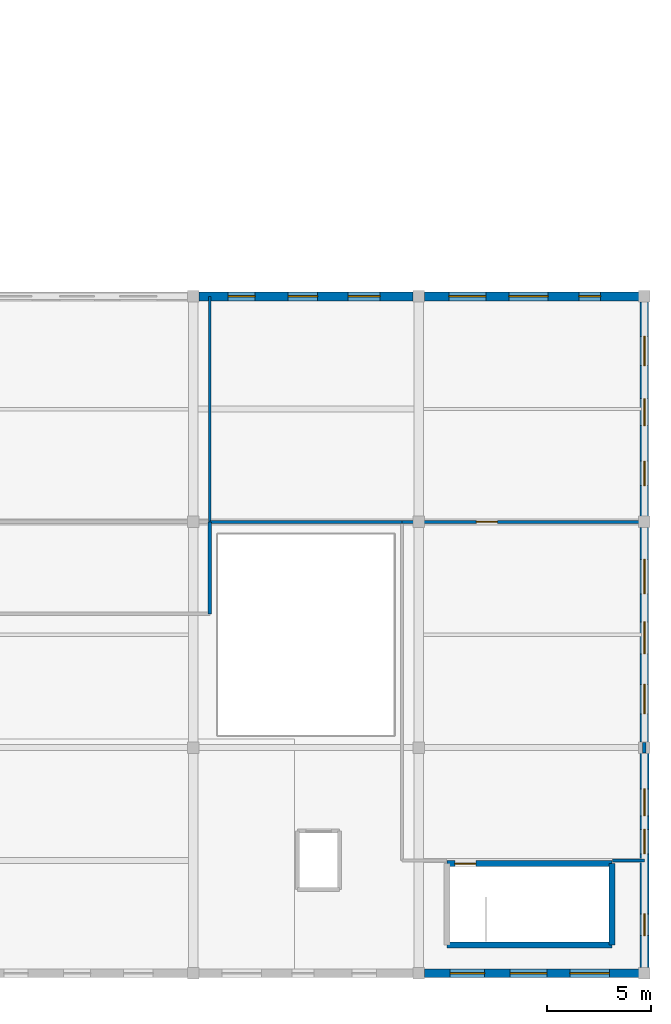
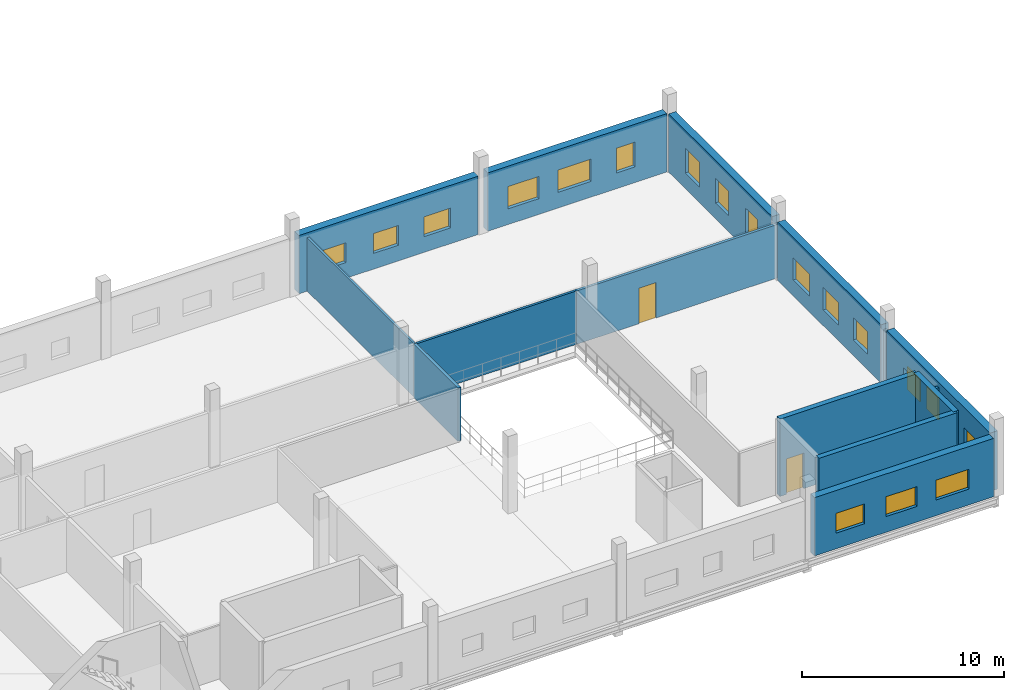
# One storey, part 18 of 24: 18 windows, 15 walls, 2 doors, 20 openings.
"""IFC4 building model written with IfcOpenShell, lengths in metres."""

from ifc_helpers import new_model, si_unit, direction, frame, frame_2d, origin, place, context, subcontext, project, spatial, rectangle, extrude, material, layer, layer_set, type_object, element, fill, save


model = new_model("IFC4")

# Units and contexts
model_context = context("Model", 3, precision=1e-05, world=origin(), true_north=direction((0.0, 1.0)))
body_context = subcontext(model_context, "Body", "Model", "MODEL_VIEW")
ifc_project = project(units=[si_unit("LENGTHUNIT", "METRE"), si_unit("AREAUNIT", "SQUARE_METRE"), si_unit("VOLUMEUNIT", "CUBIC_METRE"), si_unit("PLANEANGLEUNIT", "RADIAN"), si_unit("MASSUNIT", "GRAM", prefix="KILO")], contexts=[model_context])

# Site, building, storey
site_placement = place(None, origin())
site = spatial("IfcSite", under=ifc_project, at=site_placement, CompositionType="ELEMENT")
building_placement = place(site_placement, origin())
building = spatial("IfcBuilding", under=site, at=building_placement, Name="Zwinboog Wholesale Market", CompositionType="ELEMENT")
storey_placement = place(building_placement, frame((0.0, 0.0, 10.080078125)))
storey = spatial("IfcBuildingStorey", under=building, at=storey_placement, Name="L02", CompositionType="ELEMENT", Elevation=10.080078125)

# Wall, openings, windows
ifc_material_1 = material(Name="Precast concrete C45/55", Category="concrete")
ifc_layer_1 = layer(ifc_material_1, 0.409912109375)
ifc_layer_set_1 = layer_set([ifc_layer_1], Name="Precast concrete C45/55")
wall_type_1 = type_object("IfcWallType", Name="WT-EW-410", PredefinedType="STANDARD", material=ifc_layer_set_1)
wall_1_placement = place(storey_placement, frame((205.469970703125, 0.0, 0.0), z_axis=(0.0, 0.0, 1.0), x_axis=(1.0, 0.0, 0.0)))
wall_1 = element("IfcWall", 1, at=wall_1_placement, inside=storey, type_object=wall_type_1, Name="EW-03 (WL-EW-L02-210)", PredefinedType="STANDARD", context=body_context, shape_type="SweptSolid", body=[
    extrude(rectangle(XDim=10.260009765625, YDim=0.409912109375, at=frame_2d((5.1298828125, 0.0))), origin(), (0.0, 0.0, 1.0), 3.530029296875),
])
opening_1_placement = place(wall_1_placement, frame((1.22509765625, 0.0, 0.949951171875)))
opening_1 = element("IfcOpeningElement", 2, at=opening_1_placement, cuts=wall_1, Name="Opening WN-22", PredefinedType="OPENING", context=body_context, shape_type="SweptSolid", body=[
    extrude(rectangle(XDim=1.64990234375, YDim=1.199951171875, at=frame_2d((0.824951171875, 0.60009765625))), frame((0.0, 0.21484375, 0.0), z_axis=(0.0, -1.0, 0.0), x_axis=(1.0, 0.0, 0.0)), (0.0, 0.0, 1.0), 0.429931640625),
])
opening_2_placement = place(wall_1_placement, frame((4.094970703125, 0.0, 0.949951171875)))
opening_2 = element("IfcOpeningElement", 3, at=opening_2_placement, cuts=wall_1, Name="Opening WN-23", PredefinedType="OPENING", context=body_context, shape_type="SweptSolid", body=[
    extrude(rectangle(XDim=1.77001953125, YDim=1.199951171875, at=frame_2d((0.885009765625, 0.60009765625))), frame((0.0, 0.21484375, 0.0), z_axis=(0.0, -1.0, 0.0), x_axis=(1.0, 0.0, 0.0)), (0.0, 0.0, 1.0), 0.429931640625),
])
opening_3_placement = place(wall_1_placement, frame((6.965087890625, 0.0, 0.949951171875)))
opening_3 = element("IfcOpeningElement", 4, at=opening_3_placement, cuts=wall_1, Name="Opening WN-24", PredefinedType="OPENING", context=body_context, shape_type="SweptSolid", body=[
    extrude(rectangle(XDim=1.889892578125, YDim=1.199951171875, at=frame_2d((0.94482421875, 0.60009765625))), frame((0.0, 0.21484375, 0.0), z_axis=(0.0, -1.0, 0.0), x_axis=(1.0, 0.0, 0.0)), (0.0, 0.0, 1.0), 0.429931640625),
])
ifc_material_2 = material(Name="Thermally broken aluminium low-e window", Category="aluminium")
window_type_1 = type_object("IfcWindowType", Name="WNT-22", PartitioningType="SINGLE_PANEL", PredefinedType="WINDOW", material=ifc_material_2)
window_1_placement = place(opening_1_placement, frame((1.64990234375, 0.0, 0.0), z_axis=(0.0, 0.0, 1.0), x_axis=(-1.0, 0.0, 0.0)))
window_1 = element("IfcWindow", 5, at=window_1_placement, inside=storey, type_object=window_type_1, Name="WN-22 (WIN-L02-0238)", OverallHeight=1.199951171875, OverallWidth=1.64990234375, PartitioningType="SINGLE_PANEL", PredefinedType="WINDOW", context=body_context, shape_type="SweptSolid", body=[
    extrude(rectangle(XDim=1.64990234375, YDim=1.199951171875, at=frame_2d((0.824951171875, 0.60009765625))), frame((0.0, 0.030029296875, 0.0), z_axis=(0.0, -1.0, 0.0), x_axis=(1.0, 0.0, 0.0)), (0.0, 0.0, 1.0), 0.06005859375),
])
fill(opening_1, window_1)
window_type_2 = type_object("IfcWindowType", Name="WNT-23", PartitioningType="SINGLE_PANEL", PredefinedType="WINDOW", material=ifc_material_2)
window_2_placement = place(opening_2_placement, frame((1.77001953125, 0.0, 0.0), z_axis=(0.0, 0.0, 1.0), x_axis=(-1.0, 0.0, 0.0)))
window_2 = element("IfcWindow", 6, at=window_2_placement, inside=storey, type_object=window_type_2, Name="WN-23 (WIN-L02-0239)", OverallHeight=1.199951171875, OverallWidth=1.77001953125, PartitioningType="SINGLE_PANEL", PredefinedType="WINDOW", context=body_context, shape_type="SweptSolid", body=[
    extrude(rectangle(XDim=1.77001953125, YDim=1.199951171875, at=frame_2d((0.885009765625, 0.60009765625))), frame((0.0, 0.030029296875, 0.0), z_axis=(0.0, -1.0, 0.0), x_axis=(1.0, 0.0, 0.0)), (0.0, 0.0, 1.0), 0.06005859375),
])
fill(opening_2, window_2)
window_type_3 = type_object("IfcWindowType", Name="WNT-24", PartitioningType="SINGLE_PANEL", PredefinedType="WINDOW", material=ifc_material_2)
window_3_placement = place(opening_3_placement, frame((1.889892578125, 0.0, 0.0), z_axis=(0.0, 0.0, 1.0), x_axis=(-1.0, 0.0, 0.0)))
window_3 = element("IfcWindow", 7, at=window_3_placement, inside=storey, type_object=window_type_3, Name="WN-24 (WIN-L02-0240)", OverallHeight=1.199951171875, OverallWidth=1.889892578125, PartitioningType="SINGLE_PANEL", PredefinedType="WINDOW", context=body_context, shape_type="SweptSolid", body=[
    extrude(rectangle(XDim=1.889892578125, YDim=1.199951171875, at=frame_2d((0.94482421875, 0.60009765625))), frame((0.0, 0.030029296875, 0.0), z_axis=(0.0, -1.0, 0.0), x_axis=(1.0, 0.0, 0.0)), (0.0, 0.0, 1.0), 0.06005859375),
])
fill(opening_3, window_3)

wall_2_placement = place(storey_placement, frame((216.0, 11.070068359375, 0.0), z_axis=(0.0, 0.0, 1.0), x_axis=(0.0, 1.0, 0.0)))
wall_2 = element("IfcWall", 8, at=wall_2_placement, inside=storey, type_object=wall_type_1, Name="EW-03 (WL-EW-L02-212)", PredefinedType="STANDARD", context=body_context, shape_type="SweptSolid", body=[
    extrude(rectangle(XDim=10.260009765625, YDim=0.409912109375, at=frame_2d((5.1298828125, 0.0))), origin(), (0.0, 0.0, 1.0), 3.530029296875),
])
opening_4_placement = place(wall_2_placement, frame((1.344970703125, 0.0, 0.949951171875)))
opening_4 = element("IfcOpeningElement", 9, at=opening_4_placement, cuts=wall_2, Name="Opening WN-28", PredefinedType="OPENING", context=body_context, shape_type="SweptSolid", body=[
    extrude(rectangle(XDim=1.409912109375, YDim=1.35009765625, at=frame_2d((0.705078125, 0.675048828125))), frame((0.0, 0.21484375, 0.0), z_axis=(0.0, -1.0, 0.0), x_axis=(1.0, 0.0, 0.0)), (0.0, 0.0, 1.0), 0.429931640625),
])
opening_5_placement = place(wall_2_placement, frame((4.215087890625, 0.0, 0.949951171875)))
opening_5 = element("IfcOpeningElement", 10, at=opening_5_placement, cuts=wall_2, Name="Opening WN-29", PredefinedType="OPENING", context=body_context, shape_type="SweptSolid", body=[
    extrude(rectangle(XDim=1.530029296875, YDim=1.35009765625, at=frame_2d((0.76513671875, 0.675048828125))), frame((0.0, 0.21484375, 0.0), z_axis=(0.0, -1.0, 0.0), x_axis=(1.0, 0.0, 0.0)), (0.0, 0.0, 1.0), 0.429931640625),
])
opening_6_placement = place(wall_2_placement, frame((7.0849609375, 0.0, 0.949951171875)))
opening_6 = element("IfcOpeningElement", 11, at=opening_6_placement, cuts=wall_2, Name="Opening WN-30", PredefinedType="OPENING", context=body_context, shape_type="SweptSolid", body=[
    extrude(rectangle(XDim=1.64990234375, YDim=1.35009765625, at=frame_2d((0.824951171875, 0.675048828125))), frame((0.0, 0.21484375, 0.0), z_axis=(0.0, -1.0, 0.0), x_axis=(1.0, 0.0, 0.0)), (0.0, 0.0, 1.0), 0.429931640625),
])
window_type_4 = type_object("IfcWindowType", Name="WNT-28", PartitioningType="SINGLE_PANEL", PredefinedType="WINDOW", material=ifc_material_2)
window_4_placement = place(opening_4_placement, frame((1.409912109375, 0.0, 0.0), z_axis=(0.0, 0.0, 1.0), x_axis=(-1.0, 0.0, 0.0)))
window_4 = element("IfcWindow", 12, at=window_4_placement, inside=storey, type_object=window_type_4, Name="WN-28 (WIN-L02-0244)", OverallHeight=1.35009765625, OverallWidth=1.409912109375, PartitioningType="SINGLE_PANEL", PredefinedType="WINDOW", context=body_context, shape_type="SweptSolid", body=[
    extrude(rectangle(XDim=1.409912109375, YDim=1.35009765625, at=frame_2d((0.705078125, 0.675048828125))), frame((0.0, 0.030029296875, 0.0), z_axis=(0.0, -1.0, 0.0), x_axis=(1.0, 0.0, 0.0)), (0.0, 0.0, 1.0), 0.06005859375),
])
fill(opening_4, window_4)
window_type_5 = type_object("IfcWindowType", Name="WNT-29", PartitioningType="SINGLE_PANEL", PredefinedType="WINDOW", material=ifc_material_2)
window_5_placement = place(opening_5_placement, frame((1.530029296875, 0.0, 0.0), z_axis=(0.0, 0.0, 1.0), x_axis=(-1.0, 0.0, 0.0)))
window_5 = element("IfcWindow", 13, at=window_5_placement, inside=storey, type_object=window_type_5, Name="WN-29 (WIN-L02-0245)", OverallHeight=1.35009765625, OverallWidth=1.530029296875, PartitioningType="SINGLE_PANEL", PredefinedType="WINDOW", context=body_context, shape_type="SweptSolid", body=[
    extrude(rectangle(XDim=1.530029296875, YDim=1.35009765625, at=frame_2d((0.76513671875, 0.675048828125))), frame((0.0, 0.030029296875, 0.0), z_axis=(0.0, -1.0, 0.0), x_axis=(1.0, 0.0, 0.0)), (0.0, 0.0, 1.0), 0.06005859375),
])
fill(opening_5, window_5)
window_type_6 = type_object("IfcWindowType", Name="WNT-30", PartitioningType="SINGLE_PANEL", PredefinedType="WINDOW", material=ifc_material_2)
window_6_placement = place(opening_6_placement, frame((1.64990234375, 0.0, 0.0), z_axis=(0.0, 0.0, 1.0), x_axis=(-1.0, 0.0, 0.0)))
window_6 = element("IfcWindow", 14, at=window_6_placement, inside=storey, type_object=window_type_6, Name="WN-30 (WIN-L02-0246)", OverallHeight=1.35009765625, OverallWidth=1.64990234375, PartitioningType="SINGLE_PANEL", PredefinedType="WINDOW", context=body_context, shape_type="SweptSolid", body=[
    extrude(rectangle(XDim=1.64990234375, YDim=1.35009765625, at=frame_2d((0.824951171875, 0.675048828125))), frame((0.0, 0.030029296875, 0.0), z_axis=(0.0, -1.0, 0.0), x_axis=(1.0, 0.0, 0.0)), (0.0, 0.0, 1.0), 0.06005859375),
])
fill(opening_6, window_6)

wall_3_placement = place(storey_placement, frame((216.0, 21.8701171875, 0.0), z_axis=(0.0, 0.0, 1.0), x_axis=(0.0, 1.0, 0.0)))
wall_3 = element("IfcWall", 15, at=wall_3_placement, inside=storey, type_object=wall_type_1, Name="EW-03 (WL-EW-L02-214)", PredefinedType="STANDARD", context=body_context, shape_type="SweptSolid", body=[
    extrude(rectangle(XDim=10.259765625, YDim=0.409912109375, at=frame_2d((5.1298828125, 0.0))), origin(), (0.0, 0.0, 1.0), 3.530029296875),
])
opening_7_placement = place(wall_3_placement, frame((1.465087890625, 0.0, 0.949951171875)))
opening_7 = element("IfcOpeningElement", 16, at=opening_7_placement, cuts=wall_3, Name="Opening WN-34", PredefinedType="OPENING", context=body_context, shape_type="SweptSolid", body=[
    extrude(rectangle(XDim=1.169921875, YDim=1.5, at=frame_2d((0.5849609375, 0.75))), frame((0.0, 0.21484375, 0.0), z_axis=(0.0, -1.0, 0.0), x_axis=(1.0, 0.0, 0.0)), (0.0, 0.0, 1.0), 0.429931640625),
])
opening_8_placement = place(wall_3_placement, frame((4.3349609375, 0.0, 0.949951171875)))
opening_8 = element("IfcOpeningElement", 17, at=opening_8_placement, cuts=wall_3, Name="Opening WN-35", PredefinedType="OPENING", context=body_context, shape_type="SweptSolid", body=[
    extrude(rectangle(XDim=1.2900390625, YDim=1.5, at=frame_2d((0.64501953125, 0.75))), frame((0.0, 0.21484375, 0.0), z_axis=(0.0, -1.0, 0.0), x_axis=(1.0, 0.0, 0.0)), (0.0, 0.0, 1.0), 0.429931640625),
])
opening_9_placement = place(wall_3_placement, frame((7.205078125, 0.0, 0.949951171875)))
opening_9 = element("IfcOpeningElement", 18, at=opening_9_placement, cuts=wall_3, Name="Opening WN-36", PredefinedType="OPENING", context=body_context, shape_type="SweptSolid", body=[
    extrude(rectangle(XDim=1.409912109375, YDim=1.5, at=frame_2d((0.705078125, 0.75))), frame((0.0, 0.21484375, 0.0), z_axis=(0.0, -1.0, 0.0), x_axis=(1.0, 0.0, 0.0)), (0.0, 0.0, 1.0), 0.429931640625),
])
window_type_7 = type_object("IfcWindowType", Name="WNT-34", PartitioningType="SINGLE_PANEL", PredefinedType="WINDOW", material=ifc_material_2)
window_7_placement = place(opening_7_placement, frame((1.169921875, 0.0, 0.0), z_axis=(0.0, 0.0, 1.0), x_axis=(-1.0, 0.0, 0.0)))
window_7 = element("IfcWindow", 19, at=window_7_placement, inside=storey, type_object=window_type_7, Name="WN-34 (WIN-L02-0250)", OverallHeight=1.5, OverallWidth=1.169921875, PartitioningType="SINGLE_PANEL", PredefinedType="WINDOW", context=body_context, shape_type="SweptSolid", body=[
    extrude(rectangle(XDim=1.169921875, YDim=1.5, at=frame_2d((0.5849609375, 0.75))), frame((0.0, 0.030029296875, 0.0), z_axis=(0.0, -1.0, 0.0), x_axis=(1.0, 0.0, 0.0)), (0.0, 0.0, 1.0), 0.06005859375),
])
fill(opening_7, window_7)
window_type_8 = type_object("IfcWindowType", Name="WNT-35", PartitioningType="SINGLE_PANEL", PredefinedType="WINDOW", material=ifc_material_2)
window_8_placement = place(opening_8_placement, frame((1.2900390625, 0.0, 0.0), z_axis=(0.0, 0.0, 1.0), x_axis=(-1.0, 0.0, 0.0)))
window_8 = element("IfcWindow", 20, at=window_8_placement, inside=storey, type_object=window_type_8, Name="WN-35 (WIN-L02-0251)", OverallHeight=1.5, OverallWidth=1.2900390625, PartitioningType="SINGLE_PANEL", PredefinedType="WINDOW", context=body_context, shape_type="SweptSolid", body=[
    extrude(rectangle(XDim=1.2900390625, YDim=1.5, at=frame_2d((0.64501953125, 0.75))), frame((0.0, 0.030029296875, 0.0), z_axis=(0.0, -1.0, 0.0), x_axis=(1.0, 0.0, 0.0)), (0.0, 0.0, 1.0), 0.06005859375),
])
fill(opening_8, window_8)
window_type_9 = type_object("IfcWindowType", Name="WNT-36", PartitioningType="SINGLE_PANEL", PredefinedType="WINDOW", material=ifc_material_2)
window_9_placement = place(opening_9_placement, frame((1.409912109375, 0.0, 0.0), z_axis=(0.0, 0.0, 1.0), x_axis=(-1.0, 0.0, 0.0)))
window_9 = element("IfcWindow", 21, at=window_9_placement, inside=storey, type_object=window_type_9, Name="WN-36 (WIN-L02-0252)", OverallHeight=1.5, OverallWidth=1.409912109375, PartitioningType="SINGLE_PANEL", PredefinedType="WINDOW", context=body_context, shape_type="SweptSolid", body=[
    extrude(rectangle(XDim=1.409912109375, YDim=1.5, at=frame_2d((0.705078125, 0.75))), frame((0.0, 0.030029296875, 0.0), z_axis=(0.0, -1.0, 0.0), x_axis=(1.0, 0.0, 0.0)), (0.0, 0.0, 1.0), 0.06005859375),
])
fill(opening_9, window_9)

ifc_layer_2 = layer(ifc_material_1, 0.429931640625)
ifc_layer_set_2 = layer_set([ifc_layer_2], Name="Precast concrete C45/55")
wall_type_2 = type_object("IfcWallType", Name="WT-EW-430", PredefinedType="STANDARD", material=ifc_layer_set_2)
wall_4_placement = place(storey_placement, frame((194.669921875, 32.39990234375, 0.0), z_axis=(0.0, 0.0, 1.0), x_axis=(1.0, 0.0, 0.0)))
wall_4 = element("IfcWall", 22, at=wall_4_placement, inside=storey, type_object=wall_type_2, Name="EW-04 (WL-EW-L02-209)", PredefinedType="STANDARD", context=body_context, shape_type="SweptSolid", body=[
    extrude(rectangle(XDim=10.260009765625, YDim=0.429931640625, at=frame_2d((5.1298828125, 0.0))), origin(), (0.0, 0.0, 1.0), 3.530029296875),
])
opening_10_placement = place(wall_4_placement, frame((1.405029296875, 0.0, 0.949951171875)))
opening_10 = element("IfcOpeningElement", 23, at=opening_10_placement, cuts=wall_4, Name="Opening WN-19", PredefinedType="OPENING", context=body_context, shape_type="SweptSolid", body=[
    extrude(rectangle(XDim=1.2900390625, YDim=1.199951171875, at=frame_2d((0.64501953125, 0.60009765625))), frame((0.0, 0.224853515625, 0.0), z_axis=(0.0, -1.0, 0.0), x_axis=(1.0, 0.0, 0.0)), (0.0, 0.0, 1.0), 0.449951171875),
])
opening_11_placement = place(wall_4_placement, frame((4.27490234375, 0.0, 0.949951171875)))
opening_11 = element("IfcOpeningElement", 24, at=opening_11_placement, cuts=wall_4, Name="Opening WN-20", PredefinedType="OPENING", context=body_context, shape_type="SweptSolid", body=[
    extrude(rectangle(XDim=1.409912109375, YDim=1.199951171875, at=frame_2d((0.705078125, 0.60009765625))), frame((0.0, 0.224853515625, 0.0), z_axis=(0.0, -1.0, 0.0), x_axis=(1.0, 0.0, 0.0)), (0.0, 0.0, 1.0), 0.449951171875),
])
opening_12_placement = place(wall_4_placement, frame((7.14501953125, 0.0, 0.949951171875)))
opening_12 = element("IfcOpeningElement", 25, at=opening_12_placement, cuts=wall_4, Name="Opening WN-21", PredefinedType="OPENING", context=body_context, shape_type="SweptSolid", body=[
    extrude(rectangle(XDim=1.530029296875, YDim=1.199951171875, at=frame_2d((0.76513671875, 0.60009765625))), frame((0.0, 0.224853515625, 0.0), z_axis=(0.0, -1.0, 0.0), x_axis=(1.0, 0.0, 0.0)), (0.0, 0.0, 1.0), 0.449951171875),
])
window_type_10 = type_object("IfcWindowType", Name="WNT-19", PartitioningType="SINGLE_PANEL", PredefinedType="WINDOW", material=ifc_material_2)
window_10_placement = place(opening_10_placement, origin())
window_10 = element("IfcWindow", 26, at=window_10_placement, inside=storey, type_object=window_type_10, Name="WN-19 (WIN-L02-0235)", OverallHeight=1.199951171875, OverallWidth=1.2900390625, PartitioningType="SINGLE_PANEL", PredefinedType="WINDOW", context=body_context, shape_type="SweptSolid", body=[
    extrude(rectangle(XDim=1.2900390625, YDim=1.199951171875, at=frame_2d((0.64501953125, 0.60009765625))), frame((0.0, 0.030029296875, 0.0), z_axis=(0.0, -1.0, 0.0), x_axis=(1.0, 0.0, 0.0)), (0.0, 0.0, 1.0), 0.06005859375),
])
fill(opening_10, window_10)
window_type_11 = type_object("IfcWindowType", Name="WNT-20", PartitioningType="SINGLE_PANEL", PredefinedType="WINDOW", material=ifc_material_2)
window_11_placement = place(opening_11_placement, origin())
window_11 = element("IfcWindow", 27, at=window_11_placement, inside=storey, type_object=window_type_11, Name="WN-20 (WIN-L02-0236)", OverallHeight=1.199951171875, OverallWidth=1.409912109375, PartitioningType="SINGLE_PANEL", PredefinedType="WINDOW", context=body_context, shape_type="SweptSolid", body=[
    extrude(rectangle(XDim=1.409912109375, YDim=1.199951171875, at=frame_2d((0.705078125, 0.60009765625))), frame((0.0, 0.030029296875, 0.0), z_axis=(0.0, -1.0, 0.0), x_axis=(1.0, 0.0, 0.0)), (0.0, 0.0, 1.0), 0.06005859375),
])
fill(opening_11, window_11)
window_type_12 = type_object("IfcWindowType", Name="WNT-21", PartitioningType="SINGLE_PANEL", PredefinedType="WINDOW", material=ifc_material_2)
window_12_placement = place(opening_12_placement, origin())
window_12 = element("IfcWindow", 28, at=window_12_placement, inside=storey, type_object=window_type_12, Name="WN-21 (WIN-L02-0237)", OverallHeight=1.199951171875, OverallWidth=1.530029296875, PartitioningType="SINGLE_PANEL", PredefinedType="WINDOW", context=body_context, shape_type="SweptSolid", body=[
    extrude(rectangle(XDim=1.530029296875, YDim=1.199951171875, at=frame_2d((0.76513671875, 0.60009765625))), frame((0.0, 0.030029296875, 0.0), z_axis=(0.0, -1.0, 0.0), x_axis=(1.0, 0.0, 0.0)), (0.0, 0.0, 1.0), 0.06005859375),
])
fill(opening_12, window_12)

wall_5_placement = place(storey_placement, frame((216.0, 0.27001953125, 0.0), z_axis=(0.0, 0.0, 1.0), x_axis=(0.0, 1.0, 0.0)))
wall_5 = element("IfcWall", 29, at=wall_5_placement, inside=storey, type_object=wall_type_2, Name="EW-04 (WL-EW-L02-211)", PredefinedType="STANDARD", context=body_context, shape_type="SweptSolid", body=[
    extrude(rectangle(XDim=10.260009765625, YDim=0.429931640625, at=frame_2d((5.1298828125, 0.0))), origin(), (0.0, 0.0, 1.0), 3.530029296875),
])
opening_13_placement = place(wall_5_placement, frame((1.52490234375, 0.0, 0.949951171875)))
opening_13 = element("IfcOpeningElement", 30, at=opening_13_placement, cuts=wall_5, Name="Opening WN-25", PredefinedType="OPENING", context=body_context, shape_type="SweptSolid", body=[
    extrude(rectangle(XDim=1.050048828125, YDim=1.35009765625, at=frame_2d((0.52490234375, 0.675048828125))), frame((0.0, 0.224853515625, 0.0), z_axis=(0.0, -1.0, 0.0), x_axis=(1.0, 0.0, 0.0)), (0.0, 0.0, 1.0), 0.449951171875),
])
opening_14_placement = place(wall_5_placement, frame((5.447021484375, 0.0, 0.949951171875)))
opening_14 = element("IfcOpeningElement", 31, at=opening_14_placement, cuts=wall_5, Name="Opening WN-26", PredefinedType="OPENING", context=body_context, shape_type="SweptSolid", body=[
    extrude(rectangle(XDim=1.169921875, YDim=1.35009765625, at=frame_2d((0.5849609375, 0.675048828125))), frame((0.0, 0.224853515625, 0.0), z_axis=(0.0, -1.0, 0.0), x_axis=(1.0, 0.0, 0.0)), (0.0, 0.0, 1.0), 0.449951171875),
])
opening_15_placement = place(wall_5_placement, frame((7.264892578125, 0.0, 0.949951171875)))
opening_15 = element("IfcOpeningElement", 32, at=opening_15_placement, cuts=wall_5, Name="Opening WN-27", PredefinedType="OPENING", context=body_context, shape_type="SweptSolid", body=[
    extrude(rectangle(XDim=1.2900390625, YDim=1.35009765625, at=frame_2d((0.64501953125, 0.675048828125))), frame((0.0, 0.224853515625, 0.0), z_axis=(0.0, -1.0, 0.0), x_axis=(1.0, 0.0, 0.0)), (0.0, 0.0, 1.0), 0.449951171875),
])
window_type_13 = type_object("IfcWindowType", Name="WNT-25", PartitioningType="SINGLE_PANEL", PredefinedType="WINDOW", material=ifc_material_2)
window_13_placement = place(opening_13_placement, frame((1.050048828125, 0.0, 0.0), z_axis=(0.0, 0.0, 1.0), x_axis=(-1.0, 0.0, 0.0)))
window_13 = element("IfcWindow", 33, at=window_13_placement, inside=storey, type_object=window_type_13, Name="WN-25 (WIN-L02-0241)", OverallHeight=1.35009765625, OverallWidth=1.050048828125, PartitioningType="SINGLE_PANEL", PredefinedType="WINDOW", context=body_context, shape_type="SweptSolid", body=[
    extrude(rectangle(XDim=1.050048828125, YDim=1.35009765625, at=frame_2d((0.52490234375, 0.675048828125))), frame((0.0, 0.030029296875, 0.0), z_axis=(0.0, -1.0, 0.0), x_axis=(1.0, 0.0, 0.0)), (0.0, 0.0, 1.0), 0.06005859375),
])
fill(opening_13, window_13)
window_type_14 = type_object("IfcWindowType", Name="WNT-26", PartitioningType="SINGLE_PANEL", PredefinedType="WINDOW", material=ifc_material_2)
window_14_placement = place(opening_14_placement, frame((1.169921875, 0.0, 0.0), z_axis=(0.0, 0.0, 1.0), x_axis=(-1.0, 0.0, 0.0)))
window_14 = element("IfcWindow", 34, at=window_14_placement, inside=storey, type_object=window_type_14, Name="WN-26 (WIN-L02-0242)", OverallHeight=1.35009765625, OverallWidth=1.169921875, PartitioningType="SINGLE_PANEL", PredefinedType="WINDOW", context=body_context, shape_type="SweptSolid", body=[
    extrude(rectangle(XDim=1.169921875, YDim=1.35009765625, at=frame_2d((0.5849609375, 0.675048828125))), frame((0.0, 0.030029296875, 0.0), z_axis=(0.0, -1.0, 0.0), x_axis=(1.0, 0.0, 0.0)), (0.0, 0.0, 1.0), 0.06005859375),
])
fill(opening_14, window_14)
window_type_15 = type_object("IfcWindowType", Name="WNT-27", PartitioningType="SINGLE_PANEL", PredefinedType="WINDOW", material=ifc_material_2)
window_15_placement = place(opening_15_placement, frame((1.2900390625, 0.0, 0.0), z_axis=(0.0, 0.0, 1.0), x_axis=(-1.0, 0.0, 0.0)))
window_15 = element("IfcWindow", 35, at=window_15_placement, inside=storey, type_object=window_type_15, Name="WN-27 (WIN-L02-0243)", OverallHeight=1.35009765625, OverallWidth=1.2900390625, PartitioningType="SINGLE_PANEL", PredefinedType="WINDOW", context=body_context, shape_type="SweptSolid", body=[
    extrude(rectangle(XDim=1.2900390625, YDim=1.35009765625, at=frame_2d((0.64501953125, 0.675048828125))), frame((0.0, 0.030029296875, 0.0), z_axis=(0.0, -1.0, 0.0), x_axis=(1.0, 0.0, 0.0)), (0.0, 0.0, 1.0), 0.06005859375),
])
fill(opening_15, window_15)

wall_6_placement = place(storey_placement, frame((205.469970703125, 32.39990234375, 0.0), z_axis=(0.0, 0.0, 1.0), x_axis=(1.0, 0.0, 0.0)))
wall_6 = element("IfcWall", 36, at=wall_6_placement, inside=storey, type_object=wall_type_2, Name="EW-04 (WL-EW-L02-213)", PredefinedType="STANDARD", context=body_context, shape_type="SweptSolid", body=[
    extrude(rectangle(XDim=10.260009765625, YDim=0.429931640625, at=frame_2d((5.1298828125, 0.0))), origin(), (0.0, 0.0, 1.0), 3.530029296875),
])
opening_16_placement = place(wall_6_placement, frame((1.1650390625, 0.0, 0.949951171875)))
opening_16 = element("IfcOpeningElement", 37, at=opening_16_placement, cuts=wall_6, Name="Opening WN-31", PredefinedType="OPENING", context=body_context, shape_type="SweptSolid", body=[
    extrude(rectangle(XDim=1.77001953125, YDim=1.35009765625, at=frame_2d((0.885009765625, 0.675048828125))), frame((0.0, 0.224853515625, 0.0), z_axis=(0.0, -1.0, 0.0), x_axis=(1.0, 0.0, 0.0)), (0.0, 0.0, 1.0), 0.449951171875),
])
opening_17_placement = place(wall_6_placement, frame((4.034912109375, 0.0, 0.949951171875)))
opening_17 = element("IfcOpeningElement", 38, at=opening_17_placement, cuts=wall_6, Name="Opening WN-32", PredefinedType="OPENING", context=body_context, shape_type="SweptSolid", body=[
    extrude(rectangle(XDim=1.889892578125, YDim=1.35009765625, at=frame_2d((0.94482421875, 0.675048828125))), frame((0.0, 0.224853515625, 0.0), z_axis=(0.0, -1.0, 0.0), x_axis=(1.0, 0.0, 0.0)), (0.0, 0.0, 1.0), 0.449951171875),
])
opening_18_placement = place(wall_6_placement, frame((7.385009765625, 0.0, 0.949951171875)))
opening_18 = element("IfcOpeningElement", 39, at=opening_18_placement, cuts=wall_6, Name="Opening WN-33", PredefinedType="OPENING", context=body_context, shape_type="SweptSolid", body=[
    extrude(rectangle(XDim=1.050048828125, YDim=1.5, at=frame_2d((0.52490234375, 0.75))), frame((0.0, 0.224853515625, 0.0), z_axis=(0.0, -1.0, 0.0), x_axis=(1.0, 0.0, 0.0)), (0.0, 0.0, 1.0), 0.449951171875),
])
window_type_16 = type_object("IfcWindowType", Name="WNT-31", PartitioningType="SINGLE_PANEL", PredefinedType="WINDOW", material=ifc_material_2)
window_16_placement = place(opening_16_placement, origin())
window_16 = element("IfcWindow", 40, at=window_16_placement, inside=storey, type_object=window_type_16, Name="WN-31 (WIN-L02-0247)", OverallHeight=1.35009765625, OverallWidth=1.77001953125, PartitioningType="SINGLE_PANEL", PredefinedType="WINDOW", context=body_context, shape_type="SweptSolid", body=[
    extrude(rectangle(XDim=1.77001953125, YDim=1.35009765625, at=frame_2d((0.885009765625, 0.675048828125))), frame((0.0, 0.030029296875, 0.0), z_axis=(0.0, -1.0, 0.0), x_axis=(1.0, 0.0, 0.0)), (0.0, 0.0, 1.0), 0.06005859375),
])
fill(opening_16, window_16)
window_type_17 = type_object("IfcWindowType", Name="WNT-32", PartitioningType="SINGLE_PANEL", PredefinedType="WINDOW", material=ifc_material_2)
window_17_placement = place(opening_17_placement, origin())
window_17 = element("IfcWindow", 41, at=window_17_placement, inside=storey, type_object=window_type_17, Name="WN-32 (WIN-L02-0248)", OverallHeight=1.35009765625, OverallWidth=1.889892578125, PartitioningType="SINGLE_PANEL", PredefinedType="WINDOW", context=body_context, shape_type="SweptSolid", body=[
    extrude(rectangle(XDim=1.889892578125, YDim=1.35009765625, at=frame_2d((0.94482421875, 0.675048828125))), frame((0.0, 0.030029296875, 0.0), z_axis=(0.0, -1.0, 0.0), x_axis=(1.0, 0.0, 0.0)), (0.0, 0.0, 1.0), 0.06005859375),
])
fill(opening_17, window_17)
window_type_18 = type_object("IfcWindowType", Name="WNT-33", PartitioningType="SINGLE_PANEL", PredefinedType="WINDOW", material=ifc_material_2)
window_18_placement = place(opening_18_placement, origin())
window_18 = element("IfcWindow", 42, at=window_18_placement, inside=storey, type_object=window_type_18, Name="WN-33 (WIN-L02-0249)", OverallHeight=1.5, OverallWidth=1.050048828125, PartitioningType="SINGLE_PANEL", PredefinedType="WINDOW", context=body_context, shape_type="SweptSolid", body=[
    extrude(rectangle(XDim=1.050048828125, YDim=1.5, at=frame_2d((0.52490234375, 0.75))), frame((0.0, 0.030029296875, 0.0), z_axis=(0.0, -1.0, 0.0), x_axis=(1.0, 0.0, 0.0)), (0.0, 0.0, 1.0), 0.06005859375),
])
fill(opening_18, window_18)

# Wall
ifc_material_3 = material(Name="Concrete C40/50", Category="concrete")
ifc_layer_3 = layer(ifc_material_3, 0.300048828125)
ifc_layer_set_3 = layer_set([ifc_layer_3], Name="Concrete C40/50")
wall_type_3 = type_object("IfcWallType", Name="WT-SW-300", PredefinedType="SHEAR", material=ifc_layer_set_3)
wall_7_placement = place(storey_placement, frame((206.550048828125, 1.35009765625, 0.0), z_axis=(0.0, 0.0, 1.0), x_axis=(1.0, 0.0, 0.0)))
element("IfcWall", 43, at=wall_7_placement, inside=storey, type_object=wall_type_3, Name="SW-02 (WL-SW-L02-065)", PredefinedType="SHEAR", context=body_context, shape_type="SweptSolid", body=[
    extrude(rectangle(XDim=7.89990234375, YDim=0.300048828125, at=frame_2d((3.949951171875, 0.0))), origin(), (0.0, 0.0, 1.0), 4.679931640625),
])

# Wall, opening, door
wall_8_placement = place(storey_placement, frame((206.550048828125, 5.25, 0.0), z_axis=(0.0, 0.0, 1.0), x_axis=(1.0, 0.0, 0.0)))
wall_8 = element("IfcWall", 44, at=wall_8_placement, inside=storey, type_object=wall_type_3, Name="SW-02 (WL-SW-L02-066)", PredefinedType="SHEAR", context=body_context, shape_type="SweptSolid", body=[
    extrude(rectangle(XDim=7.89990234375, YDim=0.300048828125, at=frame_2d((3.949951171875, 0.0))), origin(), (0.0, 0.0, 1.0), 4.679931640625),
])
opening_19_placement = place(wall_8_placement, frame((0.3798828125, 0.0, 0.0)))
opening_19 = element("IfcOpeningElement", 45, at=opening_19_placement, cuts=wall_8, Name="Opening FD-0017", PredefinedType="OPENING", context=body_context, shape_type="SweptSolid", body=[
    extrude(rectangle(XDim=1.0, YDim=2.14990234375, at=frame_2d((0.5, 1.074951171875))), frame((0.0, 0.159912109375, 0.0), z_axis=(0.0, -1.0, 0.0), x_axis=(1.0, 0.0, 0.0)), (0.0, 0.0, 1.0), 0.320068359375),
])
ifc_material_4 = material(Name="Timber and powder-coated steel door leaf", Category="steel")
door_type = type_object("IfcDoorType", Name="IDT-FD-01", OperationType="NOTDEFINED", PredefinedType="DOOR", material=ifc_material_4)
door_1_placement = place(opening_19_placement, origin())
door_1 = element("IfcDoor", 46, at=door_1_placement, inside=storey, type_object=door_type, Name="Core Fire Door FD-0017", OperationType="SINGLE_SWING_RIGHT", OverallHeight=2.14990234375, OverallWidth=1.0, PredefinedType="DOOR", context=body_context, shape_type="SweptSolid", body=[
    extrude(rectangle(XDim=1.0, YDim=2.14990234375, at=frame_2d((0.5, 1.074951171875))), frame((0.0, 0.02490234375, 0.0), z_axis=(0.0, -1.0, 0.0), x_axis=(1.0, 0.0, 0.0)), (0.0, 0.0, 1.0), 0.050048828125),
])
fill(opening_19, door_1)

# Walls
wall_9_placement = place(storey_placement, frame((214.449951171875, 1.35009765625, 0.0), z_axis=(0.0, 0.0, 1.0), x_axis=(0.0, 1.0, 0.0)))
element("IfcWall", 47, at=wall_9_placement, inside=storey, type_object=wall_type_3, Name="SW-02 (WL-SW-L02-068)", PredefinedType="SHEAR", context=body_context, shape_type="SweptSolid", body=[
    extrude(rectangle(XDim=3.89990234375, YDim=0.300048828125, at=frame_2d((1.949951171875, 0.0))), origin(), (0.0, 0.0, 1.0), 4.679931640625),
])
ifc_material_5 = material(Name="Gypsum acoustic stud partition")
ifc_layer_4 = layer(ifc_material_5, 0.1240234375)
ifc_layer_set_4 = layer_set([ifc_layer_4], Name="Gypsum acoustic stud partition")
wall_type_4 = type_object("IfcWallType", Name="WT-PT-124", PredefinedType="PARTITIONING", material=ifc_layer_set_4)
wall_10_placement = place(storey_placement, frame((195.199951171875, 21.60009765625, 0.0), z_axis=(0.0, 0.0, 1.0), x_axis=(0.0, 1.0, 0.0)))
element("IfcWall", 48, at=wall_10_placement, inside=storey, type_object=wall_type_4, Name="PW-02 (WL-IN-L02-0293)", PredefinedType="PARTITIONING", context=body_context, shape_type="SweptSolid", body=[
    extrude(rectangle(XDim=10.7998046875, YDim=0.1240234375, at=frame_2d((5.39990234375, 0.0))), origin(), (0.0, 0.0, 1.0), 3.22998046875),
])
ifc_material_6 = material(Name="Hygienic washable stud partition")
ifc_layer_5 = layer(ifc_material_6, 0.137939453125)
ifc_layer_set_5 = layer_set([ifc_layer_5], Name="Hygienic washable stud partition")
wall_type_5 = type_object("IfcWallType", Name="WT-PT-138", PredefinedType="PARTITIONING", material=ifc_layer_set_5)
wall_11_placement = place(storey_placement, frame((195.199951171875, 21.60009765625, 0.0), z_axis=(0.0, 0.0, 1.0), x_axis=(1.0, 0.0, 0.0)))
element("IfcWall", 49, at=wall_11_placement, inside=storey, type_object=wall_type_5, Name="PW-03 (WL-IN-L02-0294)", PredefinedType="PARTITIONING", context=body_context, shape_type="SweptSolid", body=[
    extrude(rectangle(XDim=9.199951171875, YDim=0.137939453125, at=frame_2d((4.60009765625, 0.0))), origin(), (0.0, 0.0, 1.0), 3.22998046875),
])

# Wall, opening, door
ifc_material_7 = material(Name="Fire-rated corridor stud partition")
ifc_layer_6 = layer(ifc_material_7, 0.154052734375)
ifc_layer_set_6 = layer_set([ifc_layer_6], Name="Fire-rated corridor stud partition")
wall_type_6 = type_object("IfcWallType", Name="WT-PT-154", PredefinedType="PARTITIONING", material=ifc_layer_set_6)
wall_12_placement = place(storey_placement, frame((204.39990234375, 21.60009765625, 0.0), z_axis=(0.0, 0.0, 1.0), x_axis=(1.0, 0.0, 0.0)))
wall_12 = element("IfcWall", 50, at=wall_12_placement, inside=storey, type_object=wall_type_6, Name="PW-04 (WL-IN-L02-0255)", PredefinedType="PARTITIONING", context=body_context, shape_type="SweptSolid", body=[
    extrude(rectangle(XDim=11.60009765625, YDim=0.154052734375, at=frame_2d((5.800048828125, 0.0))), origin(), (0.0, 0.0, 1.0), 3.22998046875),
])
opening_20_placement = place(wall_12_placement, frame((3.56005859375, 0.0, 0.0)))
opening_20 = element("IfcOpeningElement", 51, at=opening_20_placement, cuts=wall_12, Name="Opening IDF-0093", PredefinedType="OPENING", context=body_context, shape_type="SweptSolid", body=[
    extrude(rectangle(XDim=1.0, YDim=2.14990234375, at=frame_2d((0.5, 1.074951171875))), frame((0.0, 0.0869140625, 0.0), z_axis=(0.0, -1.0, 0.0), x_axis=(1.0, 0.0, 0.0)), (0.0, 0.0, 1.0), 0.174072265625),
])
door_2_placement = place(opening_20_placement, frame((1.0, 0.0, 0.0), z_axis=(0.0, 0.0, 1.0), x_axis=(-1.0, 0.0, 0.0)))
door_2 = element("IfcDoor", 52, at=door_2_placement, inside=storey, type_object=door_type, Name="Interior Door IDF-0093", OperationType="SINGLE_SWING_RIGHT", OverallHeight=2.14990234375, OverallWidth=1.0, PredefinedType="DOOR", context=body_context, shape_type="SweptSolid", body=[
    extrude(rectangle(XDim=1.0, YDim=2.14990234375, at=frame_2d((0.5, 1.074951171875))), frame((0.0, 0.02490234375, 0.0), z_axis=(0.0, -1.0, 0.0), x_axis=(1.0, 0.0, 0.0)), (0.0, 0.0, 1.0), 0.050048828125),
])
fill(opening_20, door_2)

# Walls
wall_13_placement = place(storey_placement, frame((214.469970703125, 5.39990234375, 0.0), z_axis=(0.0, 0.0, 1.0), x_axis=(1.0, 0.0, 0.0)))
element("IfcWall", 53, at=wall_13_placement, inside=storey, type_object=wall_type_6, Name="PW-04 (WL-IN-L02-0296)", PredefinedType="PARTITIONING", context=body_context, shape_type="SweptSolid", body=[
    extrude(rectangle(XDim=1.530029296875, YDim=0.154052734375, at=frame_2d((0.76513671875, 0.0))), origin(), (0.0, 0.0, 1.0), 3.22998046875),
])
ifc_material_8 = material(Name="Laboratory acoustic partition")
ifc_layer_7 = layer(ifc_material_8, 0.16796875)
ifc_layer_set_7 = layer_set([ifc_layer_7], Name="Laboratory acoustic partition")
wall_type_7 = type_object("IfcWallType", Name="WT-PT-168", PredefinedType="PARTITIONING", material=ifc_layer_set_7)
wall_14_placement = place(storey_placement, frame((195.199951171875, 17.199951171875, 0.0), z_axis=(0.0, 0.0, 1.0), x_axis=(0.0, 1.0, 0.0)))
element("IfcWall", 54, at=wall_14_placement, inside=storey, type_object=wall_type_7, Name="PW-05 (WL-IN-L02-0292)", PredefinedType="PARTITIONING", context=body_context, shape_type="SweptSolid", body=[
    extrude(rectangle(XDim=4.400146484375, YDim=0.16796875, at=frame_2d((2.2001953125, 0.0))), origin(), (0.0, 0.0, 1.0), 3.22998046875),
])
wall_15_placement = place(storey_placement, frame((216.0, 10.550048828125, 0.0), z_axis=(0.0, 0.0, 1.0), x_axis=(0.0, 1.0, 0.0)))
element("IfcWall", 55, at=wall_15_placement, inside=storey, type_object=wall_type_7, Name="PW-05 (WL-IN-L02-0298)", PredefinedType="PARTITIONING", context=body_context, shape_type="SweptSolid", body=[
    extrude(rectangle(XDim=0.5, YDim=0.16796875, at=frame_2d((0.25, 0.0))), origin(), (0.0, 0.0, 1.0), 3.22998046875),
])

save(model, "model.ifc")
